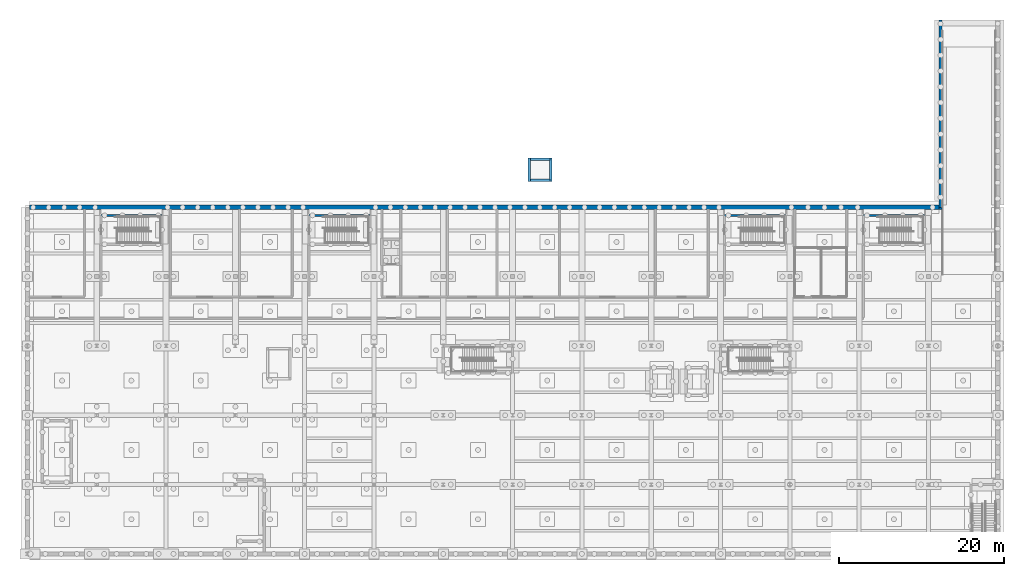
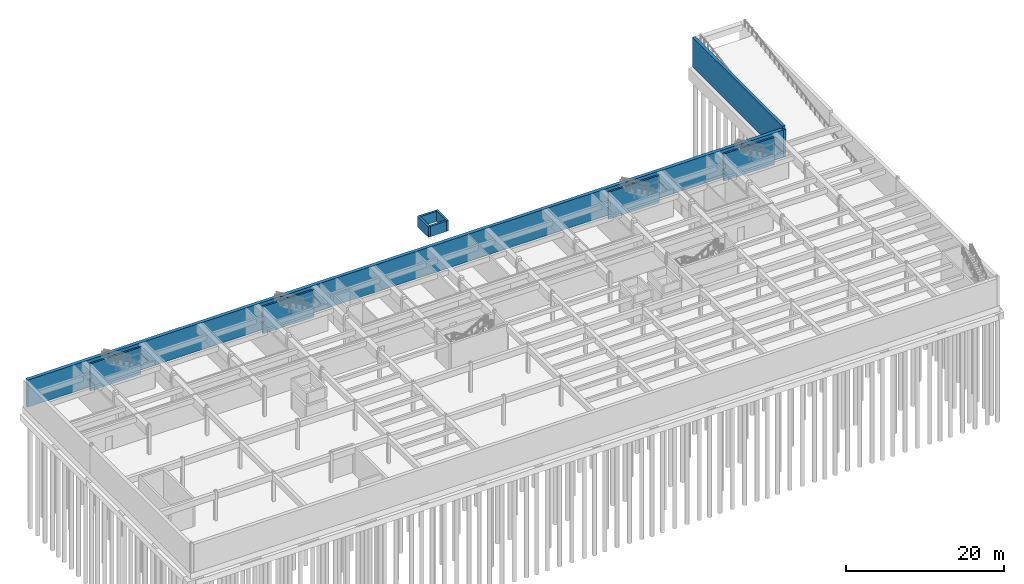
# One storey, part 26 of 33: 11 walls.
"""IFC4 building model written with IfcOpenShell, lengths in metres."""

from ifc_helpers import new_model, si_unit, direction, frame, frame_2d, origin, place, context, subcontext, project, spatial, rectangle, extrude, material, layer, layer_set, type_object, element, save


model = new_model("IFC4")

# Units and contexts
model_context = context("Model", 3, precision=1e-05, world=origin(), true_north=direction((0.0, 1.0)))
body_context = subcontext(model_context, "Body", "Model", "MODEL_VIEW")
ifc_project = project(units=[si_unit("LENGTHUNIT", "METRE"), si_unit("AREAUNIT", "SQUARE_METRE"), si_unit("VOLUMEUNIT", "CUBIC_METRE"), si_unit("PLANEANGLEUNIT", "RADIAN"), si_unit("MASSUNIT", "GRAM", prefix="KILO")], contexts=[model_context])

# Site, building, storey
site_placement = place(None, origin())
site = spatial("IfcSite", under=ifc_project, at=site_placement, CompositionType="ELEMENT")
building_placement = place(site_placement, origin())
building = spatial("IfcBuilding", under=site, at=building_placement, Name="Ljudholm Concert House", CompositionType="ELEMENT")
storey_placement = place(building_placement, frame((0.0, 0.0, -4.60009765625)))
storey = spatial("IfcBuildingStorey", under=building, at=storey_placement, Name="B1", CompositionType="ELEMENT", Elevation=-4.60009765625)

# Walls
ifc_material_1 = material(Name="Concrete 6,500 psi", Category="concrete")
ifc_layer_1 = layer(ifc_material_1, 0.25)
ifc_layer_set_1 = layer_set([ifc_layer_1], Name="Concrete 6,500 psi")
wall_type_1 = type_object("IfcWallType", Name="RC WALL 250", PredefinedType="SOLIDWALL", material=ifc_layer_set_1)
for number, where, z_axis, x_axis, name in (
    (1, (12.89990234375, 145.824951171875, 0.0), (0.0, 0.0, 1.0), (1.0, 0.0, 0.0), "Stair enclosure wall"),
    (2, (38.10009765625, 145.824951171875, 0.0), (0.0, 0.0, 1.0), (1.0, 0.0, 0.0), "Stair enclosure wall"),
    (3, (88.5, 145.824951171875, 0.0), (0.0, 0.0, 1.0), (1.0, 0.0, 0.0), "Stair enclosure wall"),
    (4, (105.300048828125, 145.824951171875, 0.0), (0.0, 0.0, 1.0), (1.0, 0.0, 0.0), "Stair enclosure wall"),
):
    element("IfcWall", number, at=place(storey_placement, frame(where, z_axis=z_axis, x_axis=x_axis)), inside=storey, type_object=wall_type_1, Name=name, PredefinedType="SOLIDWALL", context=body_context, shape_type="SweptSolid", body=[
        extrude(rectangle(XDim=7.39501953125, YDim=0.25, at=frame_2d((3.697509765625, 0.0))), origin(), (0.0, 0.0, 1.0), 4.190185546875),
    ])
ifc_material_2 = material(Name="Concrete 6,500 psi", Category="concrete")
ifc_layer_2 = layer(ifc_material_2, 0.300048828125)
ifc_layer_set_2 = layer_set([ifc_layer_2], Name="Concrete 6,500 psi")
wall_type_2 = type_object("IfcWallType", Name="RC WALL 300", PredefinedType="SOLIDWALL", material=ifc_layer_set_2)
for number, where, z_axis, x_axis, name in (
    (5, (64.800048828125, 149.949951171875, 3.0), (0.0, 0.0, 1.0), (0.0, 1.0, 0.0), "Lift pit wall"),
    (6, (67.449951171875, 149.949951171875, 3.0), (0.0, 0.0, 1.0), (0.0, 1.0, 0.0), "Lift pit wall"),
):
    element("IfcWall", number, at=place(storey_placement, frame(where, z_axis=z_axis, x_axis=x_axis)), inside=storey, type_object=wall_type_2, Name=name, PredefinedType="SOLIDWALL", context=body_context, shape_type="SweptSolid", body=[
        extrude(rectangle(XDim=2.800048828125, YDim=0.300048828125, at=frame_2d((1.39990234375, 0.0))), origin(), (0.0, 0.0, 1.0), 1.60009765625),
    ])
for number, where, z_axis, x_axis, name in (
    (7, (64.949951171875, 150.10009765625, 3.0), (0.0, 0.0, 1.0), (1.0, 0.0, 0.0), "Lift pit wall"),
    (8, (64.949951171875, 152.60009765625, 3.0), (0.0, 0.0, 1.0), (1.0, 0.0, 0.0), "Lift pit wall"),
):
    element("IfcWall", number, at=place(storey_placement, frame(where, z_axis=z_axis, x_axis=x_axis)), inside=storey, type_object=wall_type_2, Name=name, PredefinedType="SOLIDWALL", context=body_context, shape_type="SweptSolid", body=[
        extrude(rectangle(XDim=2.35009765625, YDim=0.300048828125, at=frame_2d((1.175048828125, 0.0))), origin(), (0.0, 0.0, 1.0), 1.60009765625),
    ])
ifc_material_3 = material(Name="Concrete 6,500 psi", Category="concrete")
ifc_layer_3 = layer(ifc_material_3, 0.39990234375)
ifc_layer_set_3 = layer_set([ifc_layer_3], Name="Concrete 6,500 psi")
wall_type_3 = type_object("IfcWallType", Name="RC WALL 400", PredefinedType="SOLIDWALL", material=ifc_layer_set_3)
wall_1_placement = place(storey_placement, frame((114.64990234375, 146.800048828125, 0.0), z_axis=(0.0, 0.0, 1.0), x_axis=(0.0, 1.0, 0.0)))
element("IfcWall", 9, at=wall_1_placement, inside=storey, type_object=wall_type_3, Name="Ramp retaining wall", PredefinedType="SOLIDWALL", context=body_context, shape_type="SweptSolid", body=[
    extrude(rectangle(XDim=22.699951171875, YDim=0.39990234375, at=frame_2d((11.35009765625, 0.0))), origin(), (0.0, 0.0, 1.0), 4.60009765625),
])
ifc_material_4 = material(Name="Concrete 6,500 psi", Category="concrete")
ifc_layer_4 = layer(ifc_material_4, 0.39990234375)
ifc_layer_set_4 = layer_set([ifc_layer_4], Name="Concrete 6,500 psi")
wall_type_4 = type_object("IfcWallType", Name="RC WALL 400 INTERNAL", PredefinedType="SOLIDWALL", material=ifc_layer_set_4)
wall_2_placement = place(storey_placement, frame((114.64990234375, 146.550048828125, 0.0), z_axis=(0.0, 0.0, 1.0), x_axis=(0.0, 1.0, 0.0)))
element("IfcWall", 10, at=wall_2_placement, inside=storey, type_object=wall_type_4, Name="Ramp retaining wall", PredefinedType="SOLIDWALL", context=body_context, shape_type="SweptSolid", body=[
    extrude(rectangle(XDim=0.25, YDim=0.39990234375, at=frame_2d((0.125, 0.0))), origin(), (0.0, 0.0, 1.0), 4.190185546875),
])
ifc_material_5 = material(Name="Concrete 6,500 psi", Category="concrete")
ifc_layer_5 = layer(ifc_material_5, 0.5)
ifc_layer_set_5 = layer_set([ifc_layer_5], Name="Concrete 6,500 psi")
wall_type_5 = type_object("IfcWallType", Name="RC WALL 500", PredefinedType="SOLIDWALL", material=ifc_layer_set_5)
wall_3_placement = place(storey_placement, frame((4.25, 146.800048828125, 0.0), z_axis=(0.0, 0.0, 1.0), x_axis=(1.0, 0.0, 0.0)))
element("IfcWall", 11, at=wall_3_placement, inside=storey, type_object=wall_type_5, Name="Basement wall", PredefinedType="SOLIDWALL", context=body_context, shape_type="SweptSolid", body=[
    extrude(rectangle(XDim=110.199951171875, YDim=0.5, at=frame_2d((55.10009765625, 0.0))), origin(), (0.0, 0.0, 1.0), 4.190185546875),
])

save(model, "model.ifc")
